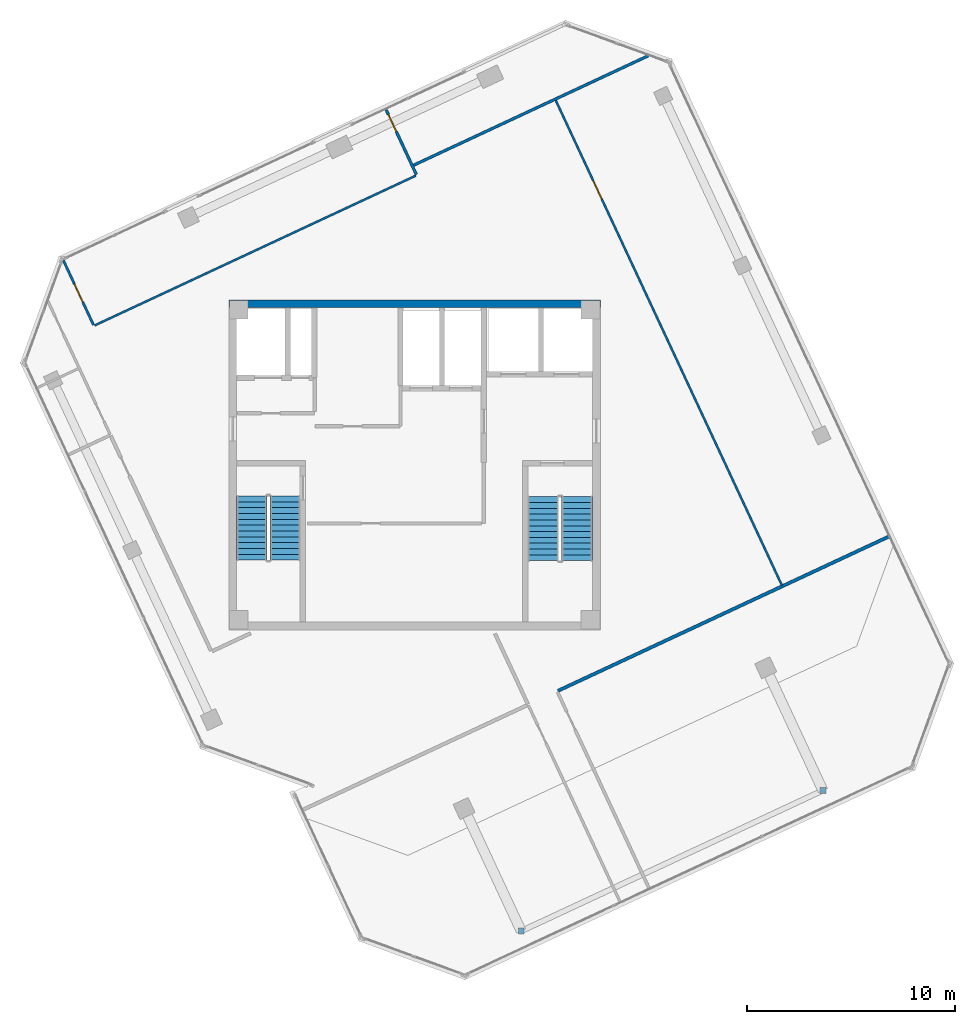
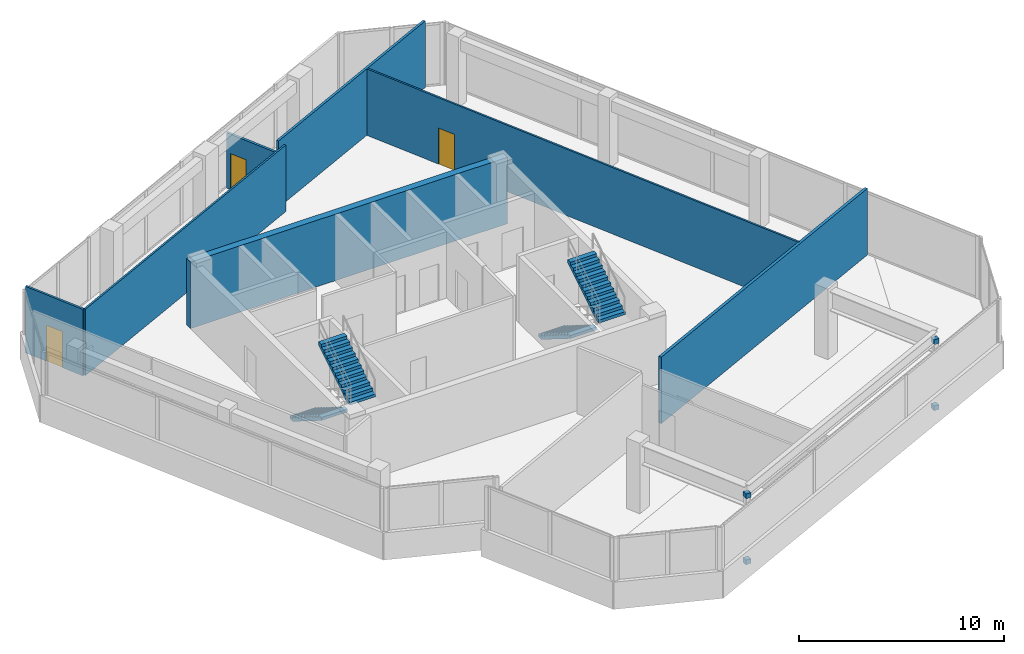
# One storey, part 14 of 17: 7 walls, 4 discrete accessories, 4 stair flights, 3 doors, 3 openings, 2 elements without a shape of their own.
"""IFC4 building model written with IfcOpenShell, lengths in metres."""

from ifc_helpers import new_model, si_unit, direction, frame, frame_2d, origin, origin_2d, place, context, subcontext, project, spatial, polyline, rectangle, outline, extrude, source, transform, mapped, material, layer, layer_set, type_object, element, fill, aggregate, save


model = new_model("IFC4")

# Units and contexts
model_context = context("Model", 3, precision=1e-05, world=origin(), true_north=direction((0.0, 1.0)))
body_context = subcontext(model_context, "Body", "Model", "MODEL_VIEW")
ifc_project = project(units=[si_unit("LENGTHUNIT", "METRE"), si_unit("AREAUNIT", "SQUARE_METRE"), si_unit("VOLUMEUNIT", "CUBIC_METRE"), si_unit("PLANEANGLEUNIT", "RADIAN"), si_unit("MASSUNIT", "GRAM", prefix="KILO")], contexts=[model_context])

# Site, building, storey
site_placement = place(None, origin())
site = spatial("IfcSite", under=ifc_project, at=site_placement, CompositionType="ELEMENT")
building_placement = place(site_placement, origin())
building = spatial("IfcBuilding", under=site, at=building_placement, Name="Torre Montelarca", CompositionType="ELEMENT")
storey_placement = place(building_placement, frame((0.0, 0.0, 340.800048828125)))
storey = spatial("IfcBuildingStorey", under=building, at=storey_placement, Name="L77", CompositionType="ELEMENT", Elevation=340.800048828125)

# Walls
ifc_material_1 = material(Name="Concrete C40/50", Category="concrete")
ifc_layer_1 = layer(ifc_material_1, 0.3798828125, Name="Concrete C40/50", Category="concrete")
ifc_layer_set_1 = layer_set([ifc_layer_1], Name="Concrete C40/50")
wall_type_1 = type_object("IfcWallType", Name="CW-SHEAR-380", PredefinedType="SHEAR", material=ifc_layer_set_1)
wall_1_placement = place(storey_placement, frame((9.070068359375, 39.739990234375, 0.0), z_axis=(0.0, 0.0, 1.0), x_axis=(1.0, 0.0, 0.0)))
element("IfcWall", 1, at=wall_1_placement, inside=storey, type_object=wall_type_1, Name="L77 Core Shear Wall CW-N1", PredefinedType="SHEAR", context=body_context, shape_type="SweptSolid", body=[
    extrude(rectangle(XDim=17.85986328125, YDim=0.3798828125, at=frame_2d((8.929931640625, 0.0))), origin(), (0.0, 0.0, 1.0), 3.9599609375),
])
ifc_material_2 = material(Name="Gypsum plasterboard on steel stud", Category="steel")
ifc_layer_2 = layer(ifc_material_2, 0.159912109375, Name="Gypsum plasterboard on steel stud", Category="steel")
ifc_layer_set_2 = layer_set([ifc_layer_2], Name="Gypsum plasterboard on steel stud")
wall_type_2 = type_object("IfcWallType", Name="PW-FIRE-160", PredefinedType="PARTITIONING", material=ifc_layer_set_2)
wall_2_placement = place(storey_placement, frame((24.8896484375, 21.134521484375, 0.0), z_axis=(0.0, 0.0, 1.0), x_axis=(0.906308982529, 0.42261569799, 0.0)))
element("IfcWall", 2, at=wall_2_placement, inside=storey, type_object=wall_type_2, Name="L77 Interior Partition W-L77-ECN", PredefinedType="PARTITIONING", context=body_context, shape_type="SweptSolid", body=[
    extrude(rectangle(XDim=17.539794921875, YDim=0.159912109375, at=frame_2d((8.77001953125, 0.0))), origin(), (0.0, 0.0, 1.0), 3.9599609375),
])

# Wall, opening, door
ifc_material_3 = material(Name="Acoustic laminated glass partition", Category="glass")
ifc_layer_3 = layer(ifc_material_3, 0.10009765625, Name="Acoustic laminated glass partition", Category="glass")
ifc_layer_set_3 = layer_set([ifc_layer_3], Name="Acoustic laminated glass partition")
wall_type_3 = type_object("IfcWallType", Name="PW-GLAZ-100", PredefinedType="PARTITIONING", material=ifc_layer_set_3)
wall_3_placement = place(storey_placement, frame((24.775390625, 49.537353515625, 0.0), z_axis=(0.0, 0.0, 1.0), x_axis=(0.422615543458, -0.906309054588, 0.0)))
wall_3 = element("IfcWall", 3, at=wall_3_placement, inside=storey, type_object=wall_type_3, Name="L77 Interior Partition W-L77-NBOT", PredefinedType="PARTITIONING", context=body_context, shape_type="SweptSolid", body=[
    extrude(rectangle(XDim=25.75, YDim=0.10009765625, at=frame_2d((12.875, 0.0))), origin(), (0.0, 0.0, 1.0), 3.9599609375),
])
opening_1_placement = place(wall_3_placement, frame((4.300048828125, 0.0, 0.0)))
opening_1 = element("IfcOpeningElement", 4, at=opening_1_placement, cuts=wall_3, Name="Opening ID-095", PredefinedType="OPENING", context=body_context, shape_type="SweptSolid", body=[
    extrude(rectangle(XDim=0.949951171875, YDim=2.14990234375, at=frame_2d((0.47509765625, 1.074951171875))), frame((0.0, 0.06005859375, 0.0), z_axis=(0.0, -1.0, 0.0), x_axis=(1.0, 0.0, 0.0)), (0.0, 0.0, 1.0), 0.1201171875),
])
ifc_material_4 = material(Name="Hardwood acoustic timber veneer", Category="wood")
door_type_1 = type_object("IfcDoorType", Name="DR-INT-095", OperationType="NOTDEFINED", PredefinedType="DOOR", material=ifc_material_4)
shared_shape_1 = source(origin(), body_context, "Body", "SweptSolid", [
    extrude(rectangle(XDim=0.949951171875, YDim=2.14990234375, at=frame_2d((0.47509765625, 1.074951171875))), frame((0.0, 0.02490234375, 0.0), z_axis=(0.0, -1.0, 0.0), x_axis=(1.0, 0.0, 0.0)), (0.0, 0.0, 1.0), 0.050048828125),
])
door_1_placement = place(opening_1_placement, origin())
door_1 = element("IfcDoor", 5, at=door_1_placement, inside=storey, type_object=door_type_1, Name="L77 Interior Door 07", OperationType="SINGLE_SWING_LEFT", OverallHeight=2.14990234375, OverallWidth=0.949951171875, PredefinedType="DOOR", context=body_context, shape_type="MappedRepresentation", body=[
    mapped(shared_shape_1, transform((0.0, 0.0, 0.0), scale=1.0)),
])
fill(opening_1, door_1)

# Wall
wall_4_placement = place(storey_placement, frame((2.6201171875, 38.698486328125, 0.0), z_axis=(0.0, 0.0, 1.0), x_axis=(0.90630352598, 0.422627399487, 0.0)))
element("IfcWall", 6, at=wall_4_placement, inside=storey, type_object=wall_type_3, Name="L77 Interior Partition W-L77-WPKE", PredefinedType="PARTITIONING", context=body_context, shape_type="SweptSolid", body=[
    extrude(rectangle(XDim=17.040283203125, YDim=0.10009765625, at=frame_2d((8.52001953125, 0.0))), origin(), (0.0, 0.0, 1.0), 3.9599609375),
])

# Wall, opening, door
ifc_layer_4 = layer(ifc_material_2, 0.114990234375, Name="Gypsum plasterboard on steel stud", Category="steel")
ifc_layer_set_4 = layer_set([ifc_layer_4], Name="Gypsum plasterboard on steel stud")
wall_type_4 = type_object("IfcWallType", Name="PW-PART-115", PredefinedType="PARTITIONING", material=ifc_layer_set_4)
wall_5_placement = place(storey_placement, frame((1.117431640625, 41.82666015625, 0.0), z_axis=(0.0, 0.0, 1.0), x_axis=(0.422589296843, -0.906321293027, 0.0)))
wall_5 = element("IfcWall", 7, at=wall_5_placement, inside=storey, type_object=wall_type_4, Name="L77 Interior Partition W-L77-WPKS", PredefinedType="PARTITIONING", context=body_context, shape_type="SweptSolid", body=[
    extrude(rectangle(XDim=3.429931640625, YDim=0.114990234375, at=frame_2d((1.71484375, 0.0))), origin(), (0.0, 0.0, 1.0), 3.9599609375),
])
opening_2_placement = place(wall_5_placement, frame((1.25, 0.0, 0.0)))
opening_2 = element("IfcOpeningElement", 8, at=opening_2_placement, cuts=wall_5, Name="Opening ID-095", PredefinedType="OPENING", context=body_context, shape_type="SweptSolid", body=[
    extrude(rectangle(XDim=0.949951171875, YDim=2.14990234375, at=frame_2d((0.47509765625, 1.074951171875))), frame((0.0, 0.0673828125, 0.0), z_axis=(0.0, -1.0, 0.0), x_axis=(1.0, 0.0, 0.0)), (0.0, 0.0, 1.0), 0.135009765625),
])
door_2_placement = place(opening_2_placement, origin())
door_2 = element("IfcDoor", 9, at=door_2_placement, inside=storey, type_object=door_type_1, Name="L77 Interior Door 08", OperationType="SINGLE_SWING_LEFT", OverallHeight=2.14990234375, OverallWidth=0.949951171875, PredefinedType="DOOR", context=body_context, shape_type="MappedRepresentation", body=[
    mapped(shared_shape_1, transform((0.0, 0.0, 0.0), scale=1.0)),
])
fill(opening_2, door_2)

ifc_layer_5 = layer(ifc_material_2, 0.135009765625, Name="Gypsum plasterboard on steel stud", Category="steel")
ifc_layer_set_5 = layer_set([ifc_layer_5], Name="Gypsum plasterboard on steel stud")
wall_type_5 = type_object("IfcWallType", Name="PW-PART-135", PredefinedType="PARTITIONING", material=ifc_layer_set_5)
wall_6_placement = place(storey_placement, frame((16.63330078125, 49.061767578125, 0.0), z_axis=(0.0, 0.0, 1.0), x_axis=(0.422675027226, -0.906281314692, 0.0)))
wall_6 = element("IfcWall", 10, at=wall_6_placement, inside=storey, type_object=wall_type_5, Name="L77 Interior Partition W-L77-WPKN", PredefinedType="PARTITIONING", context=body_context, shape_type="SweptSolid", body=[
    extrude(rectangle(XDim=3.429931640625, YDim=0.135009765625, at=frame_2d((1.71484375, 0.0))), origin(), (0.0, 0.0, 1.0), 3.294921875),
])
opening_3_placement = place(wall_6_placement, frame((0.25, 0.0, 0.0)))
opening_3 = element("IfcOpeningElement", 11, at=opening_3_placement, cuts=wall_6, Name="Opening ID-090", PredefinedType="OPENING", context=body_context, shape_type="SweptSolid", body=[
    extrude(rectangle(XDim=0.89990234375, YDim=2.14990234375, at=frame_2d((0.449951171875, 1.074951171875))), frame((0.0, 0.07763671875, 0.0), z_axis=(0.0, -1.0, 0.0), x_axis=(1.0, 0.0, 0.0)), (0.0, 0.0, 1.0), 0.155029296875),
])
door_type_2 = type_object("IfcDoorType", Name="DR-INT-090", OperationType="NOTDEFINED", PredefinedType="DOOR", material=ifc_material_4)
shared_shape_2 = source(origin(), body_context, "Body", "SweptSolid", [
    extrude(rectangle(XDim=0.89990234375, YDim=2.14990234375, at=frame_2d((0.449951171875, 1.074951171875))), frame((0.0, 0.02490234375, 0.0), z_axis=(0.0, -1.0, 0.0), x_axis=(1.0, 0.0, 0.0)), (0.0, 0.0, 1.0), 0.050048828125),
])
door_3_placement = place(opening_3_placement, origin())
door_3 = element("IfcDoor", 12, at=door_3_placement, inside=storey, type_object=door_type_2, Name="L77 Interior Door 09", OperationType="SINGLE_SWING_RIGHT", OverallHeight=2.14990234375, OverallWidth=0.89990234375, PredefinedType="DOOR", context=body_context, shape_type="MappedRepresentation", body=[
    mapped(shared_shape_2, transform((0.0, 0.0, 0.0), scale=1.0)),
])
fill(opening_3, door_3)

# Wall
wall_7_placement = place(storey_placement, frame((17.9248046875, 46.386962890625, 0.0), z_axis=(0.0, 0.0, 1.0), x_axis=(0.906304624979, 0.422625042729, 0.0)))
element("IfcWall", 13, at=wall_7_placement, inside=storey, type_object=wall_type_5, Name="L77 Interior Partition W-L77-WPKE2", PredefinedType="PARTITIONING", context=body_context, shape_type="SweptSolid", body=[
    extrude(rectangle(XDim=12.471923828125, YDim=0.135009765625, at=frame_2d((6.23583984375, 0.0))), origin(), (0.0, 0.0, 1.0), 3.9599609375),
])

# Stair, stair flights
stair_type_1 = type_object("IfcStairType", Name="ST-CORE-ST1", PredefinedType="HALF_TURN_STAIR", material=ifc_material_1)
stair_1_placement = place(storey_placement, origin())
stair_1 = element("IfcStair", 14, at=stair_1_placement, inside=storey, type_object=stair_type_1, Name="L77 Protected Exit Stair ST1", PredefinedType="HALF_TURN_STAIR")
stair_flight_type_1 = type_object("IfcStairFlightType", Name="SFL-CORE-ST1", PredefinedType="STRAIGHT", material=ifc_material_1)
stair_flight_1_placement = place(storey_placement, frame((10.175048828125, 30.5, 0.0), z_axis=(0.0, 0.0, 1.0), x_axis=(0.0, -1.0, 0.0)))
stair_flight_1 = element("IfcStairFlight", 15, at=stair_flight_1_placement, type_object=stair_flight_type_1, Name="ST1 flight 1", NumberOfRisers=12, NumberOfTreads=11, PredefinedType="STRAIGHT", RiserHeight=0.175, TreadLength=0.28, context=body_context, shape_type="SweptSolid", body=[
    extrude(outline(polyline([(0.0, 0.0), (0.0, 0.175048828125), (0.280029296875, 0.175048828125), (0.280029296875, 0.35009765625), (0.56005859375, 0.35009765625), (0.56005859375, 0.52490234375), (0.840087890625, 0.52490234375), (0.840087890625, 0.699951171875), (1.1201171875, 0.699951171875), (1.1201171875, 0.875), (1.39990234375, 0.875), (1.39990234375, 1.050048828125), (1.679931640625, 1.050048828125), (1.679931640625, 1.22509765625), (1.9599609375, 1.22509765625), (1.9599609375, 1.39990234375), (2.239990234375, 1.39990234375), (2.239990234375, 1.574951171875), (2.52001953125, 1.574951171875), (2.52001953125, 1.75), (2.800048828125, 1.75), (2.800048828125, 1.925048828125), (3.080078125, 1.925048828125), (3.080078125, 2.10009765625), (3.080078125, 1.748291015625), (0.28271484375, 0.0), (0.0, 0.0)])), frame((0.0, 0.72509765625, 0.0), z_axis=(0.0, -1.0, 0.0), x_axis=(1.0, 0.0, 0.0)), (0.0, 0.0, 1.0), 1.449951171875),
])
stair_flight_2_placement = place(storey_placement, frame((11.77490234375, 27.419921875, 2.099853515625), z_axis=(0.0, 0.0, 1.0), x_axis=(0.0, 1.0, 0.0)))
stair_flight_2 = element("IfcStairFlight", 16, at=stair_flight_2_placement, type_object=stair_flight_type_1, Name="ST1 flight 2", NumberOfRisers=12, NumberOfTreads=11, PredefinedType="STRAIGHT", RiserHeight=0.175, TreadLength=0.28, context=body_context, shape_type="SweptSolid", body=[
    extrude(outline(polyline([(0.0, 0.0), (0.0, 0.175048828125), (0.280029296875, 0.175048828125), (0.280029296875, 0.35009765625), (0.56005859375, 0.35009765625), (0.56005859375, 0.52490234375), (0.840087890625, 0.52490234375), (0.840087890625, 0.699951171875), (1.1201171875, 0.699951171875), (1.1201171875, 0.875), (1.39990234375, 0.875), (1.39990234375, 1.050048828125), (1.679931640625, 1.050048828125), (1.679931640625, 1.22509765625), (1.9599609375, 1.22509765625), (1.9599609375, 1.39990234375), (2.239990234375, 1.39990234375), (2.239990234375, 1.574951171875), (2.52001953125, 1.574951171875), (2.52001953125, 1.75), (2.800048828125, 1.75), (2.800048828125, 1.925048828125), (3.080078125, 1.925048828125), (3.080078125, 2.10009765625), (3.080078125, 1.748291015625), (0.28271484375, 0.0), (0.0, 0.0)])), frame((0.0, 0.72509765625, 0.0), z_axis=(0.0, -1.0, 0.0), x_axis=(1.0, 0.0, 0.0)), (0.0, 0.0, 1.0), 1.449951171875),
])
aggregate(stair_1, [stair_flight_1, stair_flight_2])

stair_type_2 = type_object("IfcStairType", Name="ST-CORE-ST2", PredefinedType="HALF_TURN_STAIR", material=ifc_material_1)
stair_2_placement = place(storey_placement, origin())
stair_2 = element("IfcStair", 17, at=stair_2_placement, inside=storey, type_object=stair_type_2, Name="L77 Protected Exit Stair ST2", PredefinedType="HALF_TURN_STAIR")
stair_flight_type_2 = type_object("IfcStairFlightType", Name="SFL-CORE-ST2", PredefinedType="STRAIGHT", material=ifc_material_1)
stair_flight_3_placement = place(storey_placement, frame((24.179931640625, 30.469970703125, 0.0), z_axis=(0.0, 0.0, 1.0), x_axis=(0.0, -1.0, 0.0)))
stair_flight_3 = element("IfcStairFlight", 18, at=stair_flight_3_placement, type_object=stair_flight_type_2, Name="ST2 flight 1", NumberOfRisers=12, NumberOfTreads=11, PredefinedType="STRAIGHT", RiserHeight=0.175, TreadLength=0.28, context=body_context, shape_type="SweptSolid", body=[
    extrude(outline(polyline([(0.0, 0.0), (0.0, 0.175048828125), (0.280029296875, 0.175048828125), (0.280029296875, 0.35009765625), (0.56005859375, 0.35009765625), (0.56005859375, 0.52490234375), (0.840087890625, 0.52490234375), (0.840087890625, 0.699951171875), (1.1201171875, 0.699951171875), (1.1201171875, 0.875), (1.39990234375, 0.875), (1.39990234375, 1.050048828125), (1.679931640625, 1.050048828125), (1.679931640625, 1.22509765625), (1.9599609375, 1.22509765625), (1.9599609375, 1.39990234375), (2.239990234375, 1.39990234375), (2.239990234375, 1.574951171875), (2.52001953125, 1.574951171875), (2.52001953125, 1.75), (2.800048828125, 1.75), (2.800048828125, 1.925048828125), (3.080078125, 1.925048828125), (3.080078125, 2.10009765625), (3.080078125, 1.748291015625), (0.28271484375, 0.0), (0.0, 0.0)])), frame((0.0, 0.739990234375, 0.0), z_axis=(0.0, -1.0, 0.0), x_axis=(1.0, 0.0, 0.0)), (0.0, 0.0, 1.0), 1.47998046875),
])
stair_flight_4_placement = place(storey_placement, frame((25.81005859375, 27.389892578125, 2.099853515625), z_axis=(0.0, 0.0, 1.0), x_axis=(0.0, 1.0, 0.0)))
stair_flight_4 = element("IfcStairFlight", 19, at=stair_flight_4_placement, type_object=stair_flight_type_2, Name="ST2 flight 2", NumberOfRisers=12, NumberOfTreads=11, PredefinedType="STRAIGHT", RiserHeight=0.175, TreadLength=0.28, context=body_context, shape_type="SweptSolid", body=[
    extrude(outline(polyline([(0.0, 0.0), (0.0, 0.175048828125), (0.280029296875, 0.175048828125), (0.280029296875, 0.35009765625), (0.56005859375, 0.35009765625), (0.56005859375, 0.52490234375), (0.840087890625, 0.52490234375), (0.840087890625, 0.699951171875), (1.1201171875, 0.699951171875), (1.1201171875, 0.875), (1.39990234375, 0.875), (1.39990234375, 1.050048828125), (1.679931640625, 1.050048828125), (1.679931640625, 1.22509765625), (1.9599609375, 1.22509765625), (1.9599609375, 1.39990234375), (2.239990234375, 1.39990234375), (2.239990234375, 1.574951171875), (2.52001953125, 1.574951171875), (2.52001953125, 1.75), (2.800048828125, 1.75), (2.800048828125, 1.925048828125), (3.080078125, 1.925048828125), (3.080078125, 2.10009765625), (3.080078125, 1.748291015625), (0.28271484375, 0.0), (0.0, 0.0)])), frame((0.0, 0.739990234375, 0.0), z_axis=(0.0, -1.0, 0.0), x_axis=(1.0, 0.0, 0.0)), (0.0, 0.0, 1.0), 1.47998046875),
])
aggregate(stair_2, [stair_flight_3, stair_flight_4])

# Discrete accessories
ifc_material_5 = material(Name="Stainless steel AISI 316", Category="steel")
discrete_accessory_type = type_object("IfcDiscreteAccessoryType", Name="ACC-BRACKET-SS", PredefinedType="BRACKET", material=ifc_material_5)
shared_shape_3 = source(origin(), body_context, "Body", "SweptSolid", [
    extrude(rectangle(XDim=0.280029296875, YDim=0.280029296875, at=origin_2d()), origin(), (0.0, 0.0, 1.0), 0.280029296875),
])
for number, where, z_axis, x_axis, name in (
    (20, (23.12451171875, 9.586669921875, -0.68994140625), (0.0, 0.0, 1.0), (1.0, 0.0, 0.0), "L77 Sky-Lounge Strut End Connection 24-B1"),
    (21, (23.12451171875, 9.586669921875, 3.2451171875), (0.0, 0.0, 1.0), (1.0, 0.0, 0.0), "L77 Sky-Lounge Strut End Connection 24-TP"),
    (22, (37.62548828125, 16.348388671875, -0.68994140625), (0.0, 0.0, 1.0), (1.0, 0.0, 0.0), "L77 Sky-Lounge Strut End Connection 40-B1"),
    (23, (37.62548828125, 16.348388671875, 3.2451171875), (0.0, 0.0, 1.0), (1.0, 0.0, 0.0), "L77 Sky-Lounge Strut End Connection 40-TP"),
):
    element("IfcDiscreteAccessory", number, at=place(storey_placement, frame(where, z_axis=z_axis, x_axis=x_axis)), inside=storey, type_object=discrete_accessory_type, Name=name, PredefinedType="BRACKET", context=body_context, shape_type="MappedRepresentation", body=[
        mapped(shared_shape_3, transform((0.0, 0.0, 0.0), scale=1.0)),
    ])

save(model, "model.ifc")
